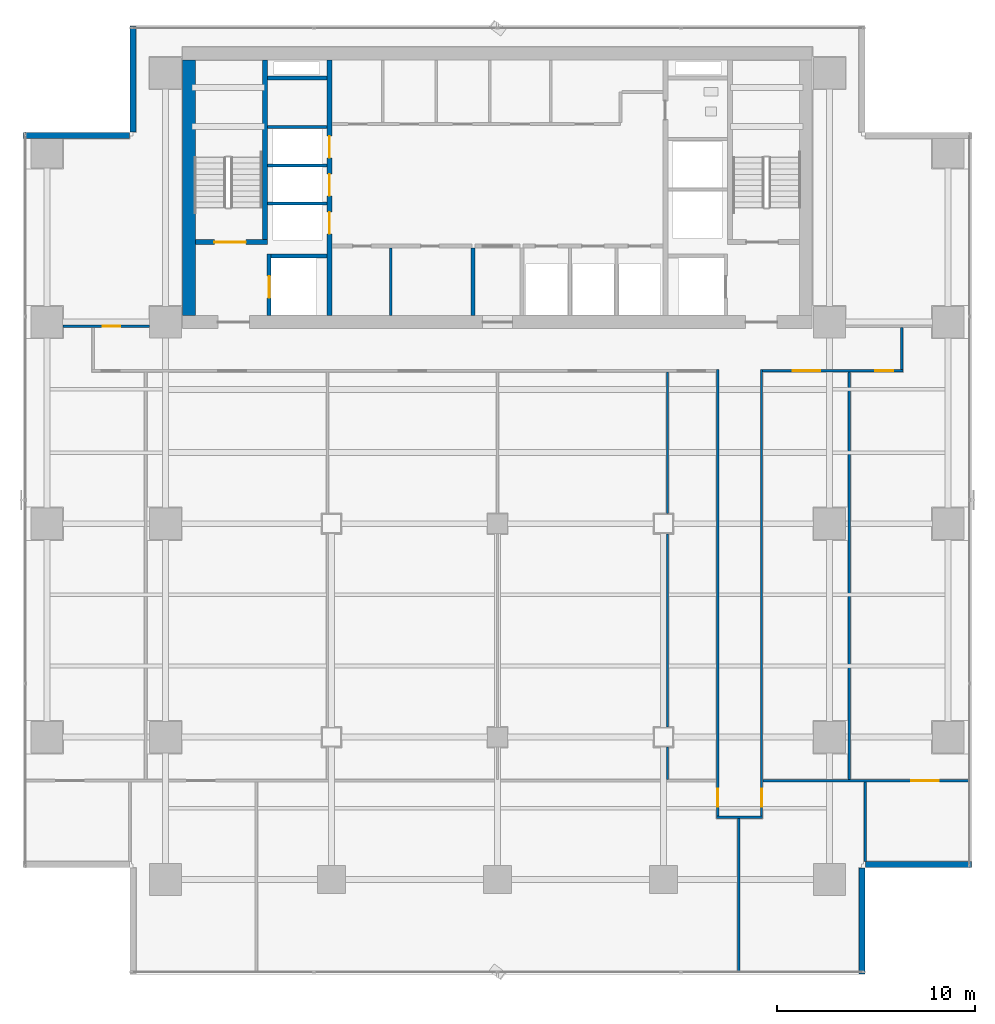
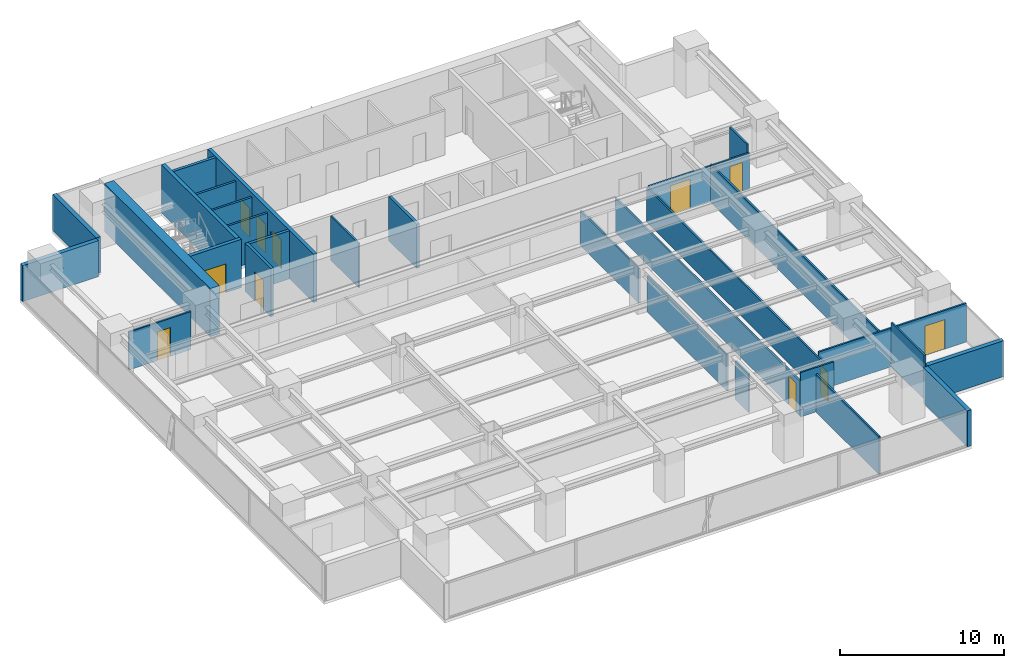
# One storey, part 21 of 28: 29 walls, 11 doors, 11 openings.
"""IFC4 building model written with IfcOpenShell, lengths in metres."""

from ifc_helpers import new_model, si_unit, direction, frame, frame_2d, origin, place, context, subcontext, project, spatial, rectangle, extrude, source, transform, mapped, material, layer, layer_set, type_object, element, fill, save


model = new_model("IFC4")

# Units and contexts
model_context = context("Model", 3, precision=1e-05, world=origin(), true_north=direction((0.0, 1.0)))
body_context = subcontext(model_context, "Body", "Model", "MODEL_VIEW")
ifc_project = project(units=[si_unit("LENGTHUNIT", "METRE"), si_unit("AREAUNIT", "SQUARE_METRE"), si_unit("VOLUMEUNIT", "CUBIC_METRE"), si_unit("PLANEANGLEUNIT", "RADIAN"), si_unit("MASSUNIT", "GRAM", prefix="KILO")], contexts=[model_context])

# Site, building, storey
site_placement = place(None, origin())
site = spatial("IfcSite", under=ifc_project, at=site_placement, CompositionType="ELEMENT")
building_placement = place(site_placement, origin())
building = spatial("IfcBuilding", under=site, at=building_placement, Name="Sumidabori Civic Tower", CompositionType="ELEMENT")
storey_placement = place(building_placement, frame((0.0, 0.0, 185.60009765625)))
storey = spatial("IfcBuildingStorey", under=building, at=storey_placement, Name="L48", CompositionType="ELEMENT", Elevation=185.60009765625)

# Walls
ifc_material_1 = material(Name="Concrete C50/60", Category="concrete")
ifc_layer_1 = layer(ifc_material_1, 0.199951171875, Name="Concrete C50/60")
ifc_layer_set_1 = layer_set([ifc_layer_1], Name="Concrete C50/60")
wall_type_1 = type_object("IfcWallType", Name="WL-SHAFT-200", PredefinedType="SHEAR", material=ifc_layer_set_1)
shared_shape_1 = source(origin(), body_context, "Body", "SweptSolid", [
    extrude(rectangle(XDim=2.824951171875, YDim=0.199951171875, at=frame_2d((1.41259765625, 0.0))), origin(), (0.0, 0.0, 1.0), 3.599853515625),
])
wall_1_placement = place(storey_placement, frame((-11.449951171875, 13.550048828125, 0.0), z_axis=(0.0, 0.0, 1.0), x_axis=(1.0, 0.0, 0.0)))
element("IfcWall", 1, at=wall_1_placement, inside=storey, type_object=wall_type_1, Name="Core Shear Wall L48 EL1-N", PredefinedType="SHEAR", context=body_context, shape_type="MappedRepresentation", body=[
    mapped(shared_shape_1, transform((0.0, 0.0, 0.0), x_axis=(1.0, 0.0, 0.0), y_axis=(0.0, 1.0, 0.0), z_axis=(0.0, 0.0, 1.0), scale=1.0)),
])
shared_shape_2 = source(origin(), body_context, "Body", "SweptSolid", [
    extrude(rectangle(XDim=3.02001953125, YDim=0.199951171875, at=frame_2d((1.510009765625, 0.0))), origin(), (0.0, 0.0, 1.0), 3.599853515625),
])
wall_2_placement = place(storey_placement, frame((-11.64501953125, 22.550048828125, 0.0), z_axis=(0.0, 0.0, 1.0), x_axis=(1.0, 0.0, 0.0)))
element("IfcWall", 2, at=wall_2_placement, inside=storey, type_object=wall_type_1, Name="Core Shear Wall L48 RIS1-S", PredefinedType="SHEAR", context=body_context, shape_type="MappedRepresentation", body=[
    mapped(shared_shape_2, transform((0.0, 0.0, 0.0), x_axis=(1.0, 0.0, 0.0), y_axis=(0.0, 1.0, 0.0), z_axis=(0.0, 0.0, 1.0), scale=1.0)),
])
ifc_material_2 = material(Name="Concrete C60/75", Category="concrete")
ifc_layer_2 = layer(ifc_material_2, 0.64990234375, Name="Concrete C60/75")
ifc_layer_set_2 = layer_set([ifc_layer_2], Name="Concrete C60/75")
wall_type_2 = type_object("IfcWallType", Name="WL-CORE-650", PredefinedType="SHEAR", material=ifc_layer_set_2)
shared_shape_3 = source(origin(), body_context, "Body", "SweptSolid", [
    extrude(rectangle(XDim=12.9501953125, YDim=0.64990234375, at=frame_2d((6.47509765625, 0.0))), origin(), (0.0, 0.0, 1.0), 3.599853515625),
])
wall_3_placement = place(storey_placement, frame((-15.60009765625, 10.52490234375, 0.0), z_axis=(0.0, 0.0, 1.0), x_axis=(0.0, 1.0, 0.0)))
element("IfcWall", 3, at=wall_3_placement, inside=storey, type_object=wall_type_2, Name="Core Shear Wall L48 W", PredefinedType="SHEAR", context=body_context, shape_type="MappedRepresentation", body=[
    mapped(shared_shape_3, transform((0.0, 0.0, 0.0), x_axis=(1.0, 0.0, 0.0), y_axis=(0.0, 1.0, 0.0), z_axis=(0.0, 0.0, 1.0), scale=1.0)),
])

# Wall, openings, doors
ifc_layer_3 = layer(ifc_material_1, 0.25, Name="Concrete C50/60")
ifc_layer_set_3 = layer_set([ifc_layer_3], Name="Concrete C50/60")
wall_type_3 = type_object("IfcWallType", Name="WL-SHAFT-250", PredefinedType="SHEAR", material=ifc_layer_set_3)
shared_shape_4 = source(origin(), body_context, "Body", "SweptSolid", [
    extrude(rectangle(XDim=12.9501953125, YDim=0.25, at=frame_2d((6.47509765625, 0.0))), origin(), (0.0, 0.0, 1.0), 3.599853515625),
])
wall_4_placement = place(storey_placement, frame((-8.5, 10.52490234375, 0.0), z_axis=(0.0, 0.0, 1.0), x_axis=(0.0, 1.0, 0.0)))
wall_4 = element("IfcWall", 4, at=wall_4_placement, inside=storey, type_object=wall_type_3, Name="Core Shear Wall L48 WEB-W", PredefinedType="SHEAR", context=body_context, shape_type="MappedRepresentation", body=[
    mapped(shared_shape_4, transform((0.0, 0.0, 0.0), x_axis=(1.0, 0.0, 0.0), y_axis=(0.0, 1.0, 0.0), z_axis=(0.0, 0.0, 1.0), scale=1.0)),
])
opening_1_placement = place(wall_4_placement, frame((4.14501953125, 0.0, 0.0)))
opening_1 = element("IfcOpeningElement", 5, at=opening_1_placement, cuts=wall_4, Name="Opening LD-1", PredefinedType="OPENING", context=body_context, shape_type="SweptSolid", body=[
    extrude(rectangle(XDim=1.10009765625, YDim=2.14990234375, at=frame_2d((0.550048828125, 1.074951171875))), frame((0.0, 0.136962890625, 0.0), z_axis=(0.0, -1.0, 0.0), x_axis=(1.0, 0.0, 0.0)), (0.0, 0.0, 1.0), 0.27392578125),
])
opening_2_placement = place(wall_4_placement, frame((6.06494140625, 0.0, 0.0)))
opening_2 = element("IfcOpeningElement", 6, at=opening_2_placement, cuts=wall_4, Name="Opening LD-1", PredefinedType="OPENING", context=body_context, shape_type="SweptSolid", body=[
    extrude(rectangle(XDim=1.10009765625, YDim=2.14990234375, at=frame_2d((0.550048828125, 1.074951171875))), frame((0.0, 0.136962890625, 0.0), z_axis=(0.0, -1.0, 0.0), x_axis=(1.0, 0.0, 0.0)), (0.0, 0.0, 1.0), 0.27392578125),
])
opening_3_placement = place(wall_4_placement, frame((7.985107421875, 0.0, 0.0)))
opening_3 = element("IfcOpeningElement", 7, at=opening_3_placement, cuts=wall_4, Name="Opening LD-1", PredefinedType="OPENING", context=body_context, shape_type="SweptSolid", body=[
    extrude(rectangle(XDim=1.10009765625, YDim=2.14990234375, at=frame_2d((0.550048828125, 1.074951171875))), frame((0.0, 0.136962890625, 0.0), z_axis=(0.0, -1.0, 0.0), x_axis=(1.0, 0.0, 0.0)), (0.0, 0.0, 1.0), 0.27392578125),
])
ifc_material_3 = material(Name="Stainless Steel Hairline Finish", Category="steel")
door_type_1 = type_object("IfcDoorType", Name="DR-LD1", OperationType="DOUBLE_DOOR_SLIDING", PredefinedType="DOOR", material=ifc_material_3)
shared_shape_5 = source(origin(), body_context, "Body", "SweptSolid", [
    extrude(rectangle(XDim=1.10009765625, YDim=2.14990234375, at=frame_2d((0.550048828125, 1.074951171875))), frame((0.0, 0.02490234375, 0.0), z_axis=(0.0, -1.0, 0.0), x_axis=(1.0, 0.0, 0.0)), (0.0, 0.0, 1.0), 0.050048828125),
])
door_1_placement = place(opening_1_placement, origin())
door_1 = element("IfcDoor", 8, at=door_1_placement, inside=storey, type_object=door_type_1, Name="Door DR:L48:LD-PLH1", OperationType="DOUBLE_DOOR_SLIDING", OverallHeight=2.14990234375, OverallWidth=1.10009765625, PredefinedType="DOOR", context=body_context, shape_type="MappedRepresentation", body=[
    mapped(shared_shape_5, transform((0.0, 0.0, 0.0), x_axis=(1.0, 0.0, 0.0), y_axis=(0.0, 1.0, 0.0), z_axis=(0.0, 0.0, 1.0), scale=1.0)),
])
fill(opening_1, door_1)
door_2_placement = place(opening_2_placement, origin())
door_2 = element("IfcDoor", 9, at=door_2_placement, inside=storey, type_object=door_type_1, Name="Door DR:L48:LD-PLH2", OperationType="DOUBLE_DOOR_SLIDING", OverallHeight=2.14990234375, OverallWidth=1.10009765625, PredefinedType="DOOR", context=body_context, shape_type="MappedRepresentation", body=[
    mapped(shared_shape_5, transform((0.0, 0.0, 0.0), x_axis=(1.0, 0.0, 0.0), y_axis=(0.0, 1.0, 0.0), z_axis=(0.0, 0.0, 1.0), scale=1.0)),
])
fill(opening_2, door_2)
door_3_placement = place(opening_3_placement, origin())
door_3 = element("IfcDoor", 10, at=door_3_placement, inside=storey, type_object=door_type_1, Name="Door DR:L48:LD-PLH3", OperationType="DOUBLE_DOOR_SLIDING", OverallHeight=2.14990234375, OverallWidth=1.10009765625, PredefinedType="DOOR", context=body_context, shape_type="MappedRepresentation", body=[
    mapped(shared_shape_5, transform((0.0, 0.0, 0.0), x_axis=(1.0, 0.0, 0.0), y_axis=(0.0, 1.0, 0.0), z_axis=(0.0, 0.0, 1.0), scale=1.0)),
])
fill(opening_3, door_3)

# Wall, opening, door
shared_shape_6 = source(origin(), body_context, "Body", "SweptSolid", [
    extrude(rectangle(XDim=3.6298828125, YDim=0.25, at=frame_2d((1.81494140625, 0.0))), origin(), (0.0, 0.0, 1.0), 3.599853515625),
])
wall_5_placement = place(storey_placement, frame((-15.27490234375, 14.25, 0.0), z_axis=(0.0, 0.0, 1.0), x_axis=(1.0, 0.0, 0.0)))
wall_5 = element("IfcWall", 11, at=wall_5_placement, inside=storey, type_object=wall_type_3, Name="Core Shear Wall L48 ST1-S", PredefinedType="SHEAR", context=body_context, shape_type="MappedRepresentation", body=[
    mapped(shared_shape_6, transform((0.0, 0.0, 0.0), x_axis=(1.0, 0.0, 0.0), y_axis=(0.0, 1.0, 0.0), z_axis=(0.0, 0.0, 1.0), scale=1.0)),
])
opening_4_placement = place(wall_5_placement, frame((0.949951171875, 0.0, 0.0)))
opening_4 = element("IfcOpeningElement", 12, at=opening_4_placement, cuts=wall_5, Name="Opening DR-FD4", PredefinedType="OPENING", context=body_context, shape_type="SweptSolid", body=[
    extrude(rectangle(XDim=1.60009765625, YDim=2.14990234375, at=frame_2d((0.800048828125, 1.074951171875))), frame((0.0, 0.136962890625, 0.0), z_axis=(0.0, -1.0, 0.0), x_axis=(1.0, 0.0, 0.0)), (0.0, 0.0, 1.0), 0.27392578125),
])
ifc_material_4 = material(Name="Steel SN490", Category="steel")
door_type_2 = type_object("IfcDoorType", Name="DR-FD4", OperationType="DOUBLE_DOOR_SINGLE_SWING", PredefinedType="DOOR", material=ifc_material_4)
shared_shape_7 = source(origin(), body_context, "Body", "SweptSolid", [
    extrude(rectangle(XDim=1.60009765625, YDim=2.14990234375, at=frame_2d((0.800048828125, 1.074951171875))), frame((0.0, 0.02490234375, 0.0), z_axis=(0.0, -1.0, 0.0), x_axis=(1.0, 0.0, 0.0)), (0.0, 0.0, 1.0), 0.050048828125),
])
door_4_placement = place(opening_4_placement, origin())
door_4 = element("IfcDoor", 13, at=door_4_placement, inside=storey, type_object=door_type_2, Name="Door DR:L48:ST1", OperationType="DOUBLE_DOOR_SINGLE_SWING", OverallHeight=2.14990234375, OverallWidth=1.60009765625, PredefinedType="DOOR", context=body_context, shape_type="MappedRepresentation", body=[
    mapped(shared_shape_7, transform((0.0, 0.0, 0.0), x_axis=(1.0, 0.0, 0.0), y_axis=(0.0, 1.0, 0.0), z_axis=(0.0, 0.0, 1.0), scale=1.0)),
])
fill(opening_4, door_4)

# Wall
shared_shape_8 = source(origin(), body_context, "Body", "SweptSolid", [
    extrude(rectangle(XDim=9.10009765625, YDim=0.25, at=frame_2d((4.550048828125, 0.0))), origin(), (0.0, 0.0, 1.0), 3.599853515625),
])
wall_6_placement = place(storey_placement, frame((-11.77001953125, 14.375, 0.0), z_axis=(0.0, 0.0, 1.0), x_axis=(0.0, 1.0, 0.0)))
element("IfcWall", 14, at=wall_6_placement, inside=storey, type_object=wall_type_3, Name="Core Shear Wall L48 ST1-E", PredefinedType="SHEAR", context=body_context, shape_type="MappedRepresentation", body=[
    mapped(shared_shape_8, transform((0.0, 0.0, 0.0), x_axis=(1.0, 0.0, 0.0), y_axis=(0.0, 1.0, 0.0), z_axis=(0.0, 0.0, 1.0), scale=1.0)),
])

# Wall, opening, door
shared_shape_9 = source(origin(), body_context, "Body", "SweptSolid", [
    extrude(rectangle(XDim=3.125, YDim=0.199951171875, at=frame_2d((1.5625, 0.0))), origin(), (0.0, 0.0, 1.0), 3.599853515625),
])
wall_7_placement = place(storey_placement, frame((-11.550048828125, 10.52490234375, 0.0), z_axis=(0.0, 0.0, 1.0), x_axis=(0.0, 1.0, 0.0)))
wall_7 = element("IfcWall", 15, at=wall_7_placement, inside=storey, type_object=wall_type_1, Name="Core Shear Wall L48 EL1-W", PredefinedType="SHEAR", context=body_context, shape_type="MappedRepresentation", body=[
    mapped(shared_shape_9, transform((0.0, 0.0, 0.0), x_axis=(1.0, 0.0, 0.0), y_axis=(0.0, 1.0, 0.0), z_axis=(0.0, 0.0, 1.0), scale=1.0)),
])
opening_5_placement = place(wall_7_placement, frame((0.89990234375, 0.0, 0.0)))
opening_5 = element("IfcOpeningElement", 16, at=opening_5_placement, cuts=wall_7, Name="Opening LD-2", PredefinedType="OPENING", context=body_context, shape_type="SweptSolid", body=[
    extrude(rectangle(XDim=1.10009765625, YDim=2.14990234375, at=frame_2d((0.550048828125, 1.074951171875))), frame((0.0, 0.11181640625, 0.0), z_axis=(0.0, -1.0, 0.0), x_axis=(1.0, 0.0, 0.0)), (0.0, 0.0, 1.0), 0.223876953125),
])
door_type_3 = type_object("IfcDoorType", Name="DR-LD2", OperationType="DOUBLE_DOOR_SLIDING", PredefinedType="DOOR", material=ifc_material_3)
door_5_placement = place(opening_5_placement, origin())
door_5 = element("IfcDoor", 17, at=door_5_placement, inside=storey, type_object=door_type_3, Name="Door DR:L48:LD-EL1", OperationType="DOUBLE_DOOR_SLIDING", OverallHeight=2.14990234375, OverallWidth=1.10009765625, PredefinedType="DOOR", context=body_context, shape_type="MappedRepresentation", body=[
    mapped(shared_shape_5, transform((0.0, 0.0, 0.0), x_axis=(1.0, 0.0, 0.0), y_axis=(0.0, 1.0, 0.0), z_axis=(0.0, 0.0, 1.0), scale=1.0)),
])
fill(opening_5, door_5)

# Walls
ifc_material_5 = material(Name="Precast concrete C40/50", Category="concrete")
ifc_layer_4 = layer(ifc_material_5, 0.300048828125, Name="Precast concrete C40/50")
ifc_layer_set_4 = layer_set([ifc_layer_4], Name="Precast concrete C40/50")
wall_type_4 = type_object("IfcWallType", Name="WL-EXT-POD300", PredefinedType="STANDARD", material=ifc_layer_set_4)
shared_shape_10 = source(origin(), body_context, "Body", "SweptSolid", [
    extrude(rectangle(XDim=5.360107421875, YDim=0.300048828125, at=frame_2d((2.68017578125, 0.0))), origin(), (0.0, 0.0, 1.0), 2.679931640625),
])
wall_8_placement = place(storey_placement, frame((18.449951171875, -22.780029296875, 0.0), z_axis=(0.0, 0.0, 1.0), x_axis=(0.0, 1.0, 0.0)))
element("IfcWall", 18, at=wall_8_placement, inside=storey, type_object=wall_type_4, Name="Notched Corner Spandrel Band L48-02", PredefinedType="STANDARD", context=body_context, shape_type="MappedRepresentation", body=[
    mapped(shared_shape_10, transform((0.0, 0.0, 0.0), x_axis=(1.0, 0.0, 0.0), y_axis=(0.0, 1.0, 0.0), z_axis=(0.0, 0.0, 1.0), scale=1.0)),
])
shared_shape_11 = source(origin(), body_context, "Body", "SweptSolid", [
    extrude(rectangle(XDim=5.35986328125, YDim=0.300048828125, at=frame_2d((2.679931640625, 0.0))), origin(), (0.0, 0.0, 1.0), 2.679931640625),
])
for number, where, z_axis, x_axis, name in (
    (19, (18.6201171875, -17.25, 0.0), (0.0, 0.0, 1.0), (1.0, 0.0, 0.0), "Notched Corner Spandrel Band L48-03"),
    (20, (-18.449951171875, 25.179931640625, 0.0), (0.0, 0.0, 1.0), (0.0, -1.0, 0.0), "Notched Corner Spandrel Band L48-08"),
    (21, (-18.6201171875, 19.64990234375, 0.0), (0.0, 0.0, 1.0), (-1.0, 0.0, 0.0), "Notched Corner Spandrel Band L48-09"),
):
    element("IfcWall", number, at=place(storey_placement, frame(where, z_axis=z_axis, x_axis=x_axis)), inside=storey, type_object=wall_type_4, Name=name, PredefinedType="STANDARD", context=body_context, shape_type="MappedRepresentation", body=[
        mapped(shared_shape_11, transform((0.0, 0.0, 0.0), x_axis=(1.0, 0.0, 0.0), y_axis=(0.0, 1.0, 0.0), z_axis=(0.0, 0.0, 1.0), scale=1.0)),
    ])
ifc_material_6 = material(Name="Gypsum Plasterboard Acoustic Partition")
ifc_layer_5 = layer(ifc_material_6, 0.14990234375, Name="Gypsum Plasterboard Acoustic Partition")
ifc_layer_set_5 = layer_set([ifc_layer_5], Name="Gypsum Plasterboard Acoustic Partition")
wall_type_5 = type_object("IfcWallType", Name="WL-PART-150", PredefinedType="PARTITIONING", material=ifc_layer_set_5)
shared_shape_12 = source(origin(), body_context, "Body", "SweptSolid", [
    extrude(rectangle(XDim=3.010009765625, YDim=0.14990234375, at=frame_2d((1.5048828125, 0.0))), origin(), (0.0, 0.0, 1.0), 3.2998046875),
])
for number, where, z_axis, x_axis, name in (
    (22, (-11.639892578125, 16.199951171875, 0.0), (0.0, 0.0, 1.0), (1.0, 0.0, 0.0), "Interior Partition WL:L48:DIV-PLH1"),
    (23, (-11.639892578125, 18.1201171875, 0.0), (0.0, 0.0, 1.0), (1.0, 0.0, 0.0), "Interior Partition WL:L48:DIV-PLH2"),
    (24, (-11.639892578125, 20.080078125, 0.0), (0.0, 0.0, 1.0), (1.0, 0.0, 0.0), "Interior Partition WL:L48:DIV-PLH3"),
):
    element("IfcWall", number, at=place(storey_placement, frame(where, z_axis=z_axis, x_axis=x_axis)), inside=storey, type_object=wall_type_5, Name=name, PredefinedType="PARTITIONING", context=body_context, shape_type="MappedRepresentation", body=[
        mapped(shared_shape_12, transform((0.0, 0.0, 0.0), x_axis=(1.0, 0.0, 0.0), y_axis=(0.0, 1.0, 0.0), z_axis=(0.0, 0.0, 1.0), scale=1.0)),
    ])
ifc_material_7 = material(Name="Gypsum Plasterboard Fire Partition")
ifc_layer_6 = layer(ifc_material_7, 0.199951171875, Name="Gypsum Plasterboard Fire Partition")
ifc_layer_set_6 = layer_set([ifc_layer_6], Name="Gypsum Plasterboard Fire Partition")
wall_type_6 = type_object("IfcWallType", Name="WL-PART-FIRE", PredefinedType="PARTITIONING", material=ifc_layer_set_6)
shared_shape_13 = source(origin(), body_context, "Body", "SweptSolid", [
    extrude(rectangle(XDim=3.4150390625, YDim=0.199951171875, at=frame_2d((1.70751953125, 0.0))), origin(), (0.0, 0.0, 1.0), 3.2998046875),
])
wall_9_placement = place(storey_placement, frame((-1.25, 10.52490234375, 0.0), z_axis=(0.0, 0.0, 1.0), x_axis=(0.0, 1.0, 0.0)))
element("IfcWall", 25, at=wall_9_placement, inside=storey, type_object=wall_type_6, Name="Interior Partition WL:L48:THROAT-W", PredefinedType="PARTITIONING", context=body_context, shape_type="MappedRepresentation", body=[
    mapped(shared_shape_13, transform((0.0, 0.0, 0.0), x_axis=(1.0, 0.0, 0.0), y_axis=(0.0, 1.0, 0.0), z_axis=(0.0, 0.0, 1.0), scale=1.0)),
])
ifc_layer_7 = layer(ifc_material_6, 0.1201171875, Name="Gypsum Plasterboard Acoustic Partition")
ifc_layer_set_7 = layer_set([ifc_layer_7], Name="Gypsum Plasterboard Acoustic Partition")
wall_type_7 = type_object("IfcWallType", Name="WL-PART-120", PredefinedType="PARTITIONING", material=ifc_layer_set_7)
shared_shape_14 = source(origin(), body_context, "Body", "SweptSolid", [
    extrude(rectangle(XDim=3.4150390625, YDim=0.1201171875, at=frame_2d((1.70751953125, 0.0))), origin(), (0.0, 0.0, 1.0), 3.2998046875),
])
wall_10_placement = place(storey_placement, frame((-5.39990234375, 10.52490234375, 0.0), z_axis=(0.0, 0.0, 1.0), x_axis=(0.0, 1.0, 0.0)))
element("IfcWall", 26, at=wall_10_placement, inside=storey, type_object=wall_type_7, Name="Interior Partition WL:L48:REC-B1-SP", PredefinedType="PARTITIONING", context=body_context, shape_type="MappedRepresentation", body=[
    mapped(shared_shape_14, transform((0.0, 0.0, 0.0), x_axis=(1.0, 0.0, 0.0), y_axis=(0.0, 1.0, 0.0), z_axis=(0.0, 0.0, 1.0), scale=1.0)),
])

# Wall, opening, door
shared_shape_15 = source(origin(), body_context, "Body", "SweptSolid", [
    extrude(rectangle(XDim=4.3798828125, YDim=0.1201171875, at=frame_2d((2.18994140625, 0.0))), origin(), (0.0, 0.0, 1.0), 2.8349609375),
])
wall_11_placement = place(storey_placement, frame((-21.989990234375, 10.0, 0.0), z_axis=(0.0, 0.0, 1.0), x_axis=(1.0, 0.0, 0.0)))
wall_11 = element("IfcWall", 27, at=wall_11_placement, inside=storey, type_object=wall_type_7, Name="Interior Partition WL:L48:FLK-NW", PredefinedType="PARTITIONING", context=body_context, shape_type="MappedRepresentation", body=[
    mapped(shared_shape_15, transform((0.0, 0.0, 0.0), x_axis=(1.0, 0.0, 0.0), y_axis=(0.0, 1.0, 0.0), z_axis=(0.0, 0.0, 1.0), scale=1.0)),
])
opening_6_placement = place(wall_11_placement, frame((2.014892578125, 0.0, 0.0)))
opening_6 = element("IfcOpeningElement", 28, at=opening_6_placement, cuts=wall_11, Name="Opening DR-1", PredefinedType="OPENING", context=body_context, shape_type="SweptSolid", body=[
    extrude(rectangle(XDim=0.89990234375, YDim=2.14990234375, at=frame_2d((0.449951171875, 1.074951171875))), frame((0.0, 0.072021484375, 0.0), z_axis=(0.0, -1.0, 0.0), x_axis=(1.0, 0.0, 0.0)), (0.0, 0.0, 1.0), 0.14404296875),
])
ifc_material_8 = material(Name="Japanese Hinoki Timber", Category="wood")
door_type_4 = type_object("IfcDoorType", Name="DR-INT-900", OperationType="NOTDEFINED", PredefinedType="DOOR", material=ifc_material_8)
shared_shape_16 = source(origin(), body_context, "Body", "SweptSolid", [
    extrude(rectangle(XDim=0.89990234375, YDim=2.14990234375, at=frame_2d((0.449951171875, 1.074951171875))), frame((0.0, 0.02490234375, 0.0), z_axis=(0.0, -1.0, 0.0), x_axis=(1.0, 0.0, 0.0)), (0.0, 0.0, 1.0), 0.050048828125),
])
door_6_placement = place(opening_6_placement, origin())
door_6 = element("IfcDoor", 29, at=door_6_placement, inside=storey, type_object=door_type_4, Name="Door DR:L48:FLK-NW", OperationType="SINGLE_SWING_LEFT", OverallHeight=2.14990234375, OverallWidth=0.89990234375, PredefinedType="DOOR", context=body_context, shape_type="MappedRepresentation", body=[
    mapped(shared_shape_16, transform((0.0, 0.0, 0.0), x_axis=(1.0, 0.0, 0.0), y_axis=(0.0, 1.0, 0.0), z_axis=(0.0, 0.0, 1.0), scale=1.0)),
])
fill(opening_6, door_6)

# Wall, openings, doors
shared_shape_17 = source(origin(), body_context, "Body", "SweptSolid", [
    extrude(rectangle(XDim=7.10009765625, YDim=0.1201171875, at=frame_2d((3.550048828125, 0.0))), origin(), (0.0, 0.0, 1.0), 2.684814453125),
])
wall_12_placement = place(storey_placement, frame((13.419921875, 7.739990234375, 0.0), z_axis=(0.0, 0.0, 1.0), x_axis=(1.0, 0.0, 0.0)))
wall_12 = element("IfcWall", 30, at=wall_12_placement, inside=storey, type_object=wall_type_7, Name="Interior Partition WL:L48:CORR-SE", PredefinedType="PARTITIONING", context=body_context, shape_type="MappedRepresentation", body=[
    mapped(shared_shape_17, transform((0.0, 0.0, 0.0), x_axis=(1.0, 0.0, 0.0), y_axis=(0.0, 1.0, 0.0), z_axis=(0.0, 0.0, 1.0), scale=1.0)),
])
opening_7_placement = place(wall_12_placement, frame((5.699951171875, 0.0, 0.0)))
opening_7 = element("IfcOpeningElement", 31, at=opening_7_placement, cuts=wall_12, Name="Opening DR-1", PredefinedType="OPENING", context=body_context, shape_type="SweptSolid", body=[
    extrude(rectangle(XDim=0.89990234375, YDim=2.14990234375, at=frame_2d((0.449951171875, 1.074951171875))), frame((0.0, 0.072021484375, 0.0), z_axis=(0.0, -1.0, 0.0), x_axis=(1.0, 0.0, 0.0)), (0.0, 0.0, 1.0), 0.14404296875),
])
opening_8_placement = place(wall_12_placement, frame((1.52001953125, 0.0, 0.0)))
opening_8 = element("IfcOpeningElement", 32, at=opening_8_placement, cuts=wall_12, Name="Opening DR-5", PredefinedType="OPENING", context=body_context, shape_type="SweptSolid", body=[
    extrude(rectangle(XDim=1.39990234375, YDim=2.199951171875, at=frame_2d((0.699951171875, 1.10009765625))), frame((0.0, 0.072021484375, 0.0), z_axis=(0.0, -1.0, 0.0), x_axis=(1.0, 0.0, 0.0)), (0.0, 0.0, 1.0), 0.14404296875),
])
door_7_placement = place(opening_7_placement, origin())
door_7 = element("IfcDoor", 33, at=door_7_placement, inside=storey, type_object=door_type_4, Name="Door DR:L48:D03", OperationType="SINGLE_SWING_LEFT", OverallHeight=2.14990234375, OverallWidth=0.89990234375, PredefinedType="DOOR", context=body_context, shape_type="MappedRepresentation", body=[
    mapped(shared_shape_16, transform((0.0, 0.0, 0.0), x_axis=(1.0, 0.0, 0.0), y_axis=(0.0, 1.0, 0.0), z_axis=(0.0, 0.0, 1.0), scale=1.0)),
])
fill(opening_7, door_7)
ifc_material_9 = material(Name="Anodised Bronze Aluminium AW-6063-T6", Category="aluminium")
door_type_5 = type_object("IfcDoorType", Name="DR-DBL-1400", OperationType="DOUBLE_DOOR_SINGLE_SWING", PredefinedType="DOOR", material=ifc_material_9)
shared_shape_18 = source(origin(), body_context, "Body", "SweptSolid", [
    extrude(rectangle(XDim=1.39990234375, YDim=2.199951171875, at=frame_2d((0.699951171875, 1.10009765625))), frame((0.0, 0.02490234375, 0.0), z_axis=(0.0, -1.0, 0.0), x_axis=(1.0, 0.0, 0.0)), (0.0, 0.0, 1.0), 0.050048828125),
])
door_8_placement = place(opening_8_placement, origin())
door_8 = element("IfcDoor", 34, at=door_8_placement, inside=storey, type_object=door_type_5, Name="Door DR:L48:D04", OperationType="DOUBLE_DOOR_SINGLE_SWING", OverallHeight=2.199951171875, OverallWidth=1.39990234375, PredefinedType="DOOR", context=body_context, shape_type="MappedRepresentation", body=[
    mapped(shared_shape_18, transform((0.0, 0.0, 0.0), x_axis=(1.0, 0.0, 0.0), y_axis=(0.0, 1.0, 0.0), z_axis=(0.0, 0.0, 1.0), scale=1.0)),
])
fill(opening_8, door_8)

# Walls
shared_shape_19 = source(origin(), body_context, "Body", "SweptSolid", [
    extrude(rectangle(XDim=2.33984375, YDim=0.1201171875, at=frame_2d((1.169921875, 0.0))), origin(), (0.0, 0.0, 1.0), 3.2998046875),
])
wall_13_placement = place(storey_placement, frame((11.080078125, -14.860107421875, 0.0), z_axis=(0.0, 0.0, 1.0), x_axis=(1.0, 0.0, 0.0)))
element("IfcWall", 35, at=wall_13_placement, inside=storey, type_object=wall_type_7, Name="Interior Partition WL:L48:CORR-CAP-E", PredefinedType="PARTITIONING", context=body_context, shape_type="MappedRepresentation", body=[
    mapped(shared_shape_19, transform((0.0, 0.0, 0.0), x_axis=(1.0, 0.0, 0.0), y_axis=(0.0, 1.0, 0.0), z_axis=(0.0, 0.0, 1.0), scale=1.0)),
])
shared_shape_20 = source(origin(), body_context, "Body", "SweptSolid", [
    extrude(rectangle(XDim=2.130126953125, YDim=0.1201171875, at=frame_2d((1.06494140625, 0.0))), origin(), (0.0, 0.0, 1.0), 3.2998046875),
])
wall_14_placement = place(storey_placement, frame((20.4599609375, 7.804931640625, 0.0), z_axis=(0.0, 0.0, 1.0), x_axis=(0.0, 1.0, 0.0)))
element("IfcWall", 36, at=wall_14_placement, inside=storey, type_object=wall_type_7, Name="Interior Partition WL:L48:CORR-VNE", PredefinedType="PARTITIONING", context=body_context, shape_type="MappedRepresentation", body=[
    mapped(shared_shape_20, transform((0.0, 0.0, 0.0), x_axis=(1.0, 0.0, 0.0), y_axis=(0.0, 1.0, 0.0), z_axis=(0.0, 0.0, 1.0), scale=1.0)),
])

# Wall, opening, door
shared_shape_21 = source(origin(), body_context, "Body", "SweptSolid", [
    extrude(rectangle(XDim=22.594970703125, YDim=0.1201171875, at=frame_2d((11.29736328125, 0.0))), origin(), (0.0, 0.0, 1.0), 2.5849609375),
])
wall_15_placement = place(storey_placement, frame((11.139892578125, -14.794921875, 0.0), z_axis=(0.0, 0.0, 1.0), x_axis=(0.0, 1.0, 0.0)))
wall_15 = element("IfcWall", 37, at=wall_15_placement, inside=storey, type_object=wall_type_7, Name="Interior Partition WL:L48:CORR-VL-W", PredefinedType="PARTITIONING", context=body_context, shape_type="MappedRepresentation", body=[
    mapped(shared_shape_21, transform((0.0, 0.0, 0.0), x_axis=(1.0, 0.0, 0.0), y_axis=(0.0, 1.0, 0.0), z_axis=(0.0, 0.0, 1.0), scale=1.0)),
])
opening_9_placement = place(wall_15_placement, frame((0.4775390625, 0.0, 0.0)))
opening_9 = element("IfcOpeningElement", 38, at=opening_9_placement, cuts=wall_15, Name="Opening DR-1", PredefinedType="OPENING", context=body_context, shape_type="SweptSolid", body=[
    extrude(rectangle(XDim=0.89990234375, YDim=2.14990234375, at=frame_2d((0.449951171875, 1.074951171875))), frame((0.0, 0.072021484375, 0.0), z_axis=(0.0, -1.0, 0.0), x_axis=(1.0, 0.0, 0.0)), (0.0, 0.0, 1.0), 0.14404296875),
])
door_9_placement = place(opening_9_placement, origin())
door_9 = element("IfcDoor", 39, at=door_9_placement, inside=storey, type_object=door_type_4, Name="Door DR:L48:D09", OperationType="SINGLE_SWING_LEFT", OverallHeight=2.14990234375, OverallWidth=0.89990234375, PredefinedType="DOOR", context=body_context, shape_type="MappedRepresentation", body=[
    mapped(shared_shape_16, transform((0.0, 0.0, 0.0), x_axis=(1.0, 0.0, 0.0), y_axis=(0.0, 1.0, 0.0), z_axis=(0.0, 0.0, 1.0), scale=1.0)),
])
fill(opening_9, door_9)

wall_16_placement = place(storey_placement, frame((13.360107421875, -14.794921875, 0.0), z_axis=(0.0, 0.0, 1.0), x_axis=(0.0, 1.0, 0.0)))
wall_16 = element("IfcWall", 40, at=wall_16_placement, inside=storey, type_object=wall_type_7, Name="Interior Partition WL:L48:CORR-VL-E", PredefinedType="PARTITIONING", context=body_context, shape_type="MappedRepresentation", body=[
    mapped(shared_shape_21, transform((0.0, 0.0, 0.0), x_axis=(1.0, 0.0, 0.0), y_axis=(0.0, 1.0, 0.0), z_axis=(0.0, 0.0, 1.0), scale=1.0)),
])
opening_10_placement = place(wall_16_placement, frame((0.4775390625, 0.0, 0.0)))
opening_10 = element("IfcOpeningElement", 41, at=opening_10_placement, cuts=wall_16, Name="Opening DR-1", PredefinedType="OPENING", context=body_context, shape_type="SweptSolid", body=[
    extrude(rectangle(XDim=0.89990234375, YDim=2.14990234375, at=frame_2d((0.449951171875, 1.074951171875))), frame((0.0, 0.072021484375, 0.0), z_axis=(0.0, -1.0, 0.0), x_axis=(1.0, 0.0, 0.0)), (0.0, 0.0, 1.0), 0.14404296875),
])
door_10_placement = place(opening_10_placement, origin())
door_10 = element("IfcDoor", 42, at=door_10_placement, inside=storey, type_object=door_type_4, Name="Door DR:L48:D10", OperationType="SINGLE_SWING_RIGHT", OverallHeight=2.14990234375, OverallWidth=0.89990234375, PredefinedType="DOOR", context=body_context, shape_type="MappedRepresentation", body=[
    mapped(shared_shape_16, transform((0.0, 0.0, 0.0), x_axis=(1.0, 0.0, 0.0), y_axis=(0.0, 1.0, 0.0), z_axis=(0.0, 0.0, 1.0), scale=1.0)),
])
fill(opening_10, door_10)

shared_shape_22 = source(origin(), body_context, "Body", "SweptSolid", [
    extrude(rectangle(XDim=10.425048828125, YDim=0.1201171875, at=frame_2d((5.21240234375, 0.0))), origin(), (0.0, 0.0, 1.0), 2.885009765625),
])
wall_17_placement = place(storey_placement, frame((13.425048828125, -13.0, 0.0), z_axis=(0.0, 0.0, 1.0), x_axis=(1.0, 0.0, 0.0)))
wall_17 = element("IfcWall", 43, at=wall_17_placement, inside=storey, type_object=wall_type_7, Name="Interior Partition WL:L48:BAND-Y-2", PredefinedType="PARTITIONING", context=body_context, shape_type="MappedRepresentation", body=[
    mapped(shared_shape_22, transform((0.0, 0.0, 0.0), x_axis=(1.0, 0.0, 0.0), y_axis=(0.0, 1.0, 0.0), z_axis=(0.0, 0.0, 1.0), scale=1.0)),
])
opening_11_placement = place(wall_17_placement, frame((7.510009765625, 0.0, 0.0)))
opening_11 = element("IfcOpeningElement", 44, at=opening_11_placement, cuts=wall_17, Name="Opening DR-5", PredefinedType="OPENING", context=body_context, shape_type="SweptSolid", body=[
    extrude(rectangle(XDim=1.39990234375, YDim=2.199951171875, at=frame_2d((0.699951171875, 1.10009765625))), frame((0.0, 0.072021484375, 0.0), z_axis=(0.0, -1.0, 0.0), x_axis=(1.0, 0.0, 0.0)), (0.0, 0.0, 1.0), 0.14404296875),
])
door_11_placement = place(opening_11_placement, origin())
door_11 = element("IfcDoor", 45, at=door_11_placement, inside=storey, type_object=door_type_5, Name="Door DR:L48:D12", OperationType="DOUBLE_DOOR_SINGLE_SWING", OverallHeight=2.199951171875, OverallWidth=1.39990234375, PredefinedType="DOOR", context=body_context, shape_type="MappedRepresentation", body=[
    mapped(shared_shape_18, transform((0.0, 0.0, 0.0), x_axis=(1.0, 0.0, 0.0), y_axis=(0.0, 1.0, 0.0), z_axis=(0.0, 0.0, 1.0), scale=1.0)),
])
fill(opening_11, door_11)

# Walls
shared_shape_23 = source(origin(), body_context, "Body", "SweptSolid", [
    extrude(rectangle(XDim=20.610107421875, YDim=0.1201171875, at=frame_2d((10.30517578125, 0.0))), origin(), (0.0, 0.0, 1.0), 2.8349609375),
])
wall_18_placement = place(storey_placement, frame((17.800048828125, -12.93505859375, 0.0), z_axis=(0.0, 0.0, 1.0), x_axis=(0.0, 1.0, 0.0)))
element("IfcWall", 46, at=wall_18_placement, inside=storey, type_object=wall_type_7, Name="Interior Partition WL:L48:VX-N5", PredefinedType="PARTITIONING", context=body_context, shape_type="MappedRepresentation", body=[
    mapped(shared_shape_23, transform((0.0, 0.0, 0.0), x_axis=(1.0, 0.0, 0.0), y_axis=(0.0, 1.0, 0.0), z_axis=(0.0, 0.0, 1.0), scale=1.0)),
])
shared_shape_24 = source(origin(), body_context, "Body", "SweptSolid", [
    extrude(rectangle(XDim=1.625, YDim=0.1201171875, at=frame_2d((0.8125, 0.0))), origin(), (0.0, 0.0, 1.0), 2.885009765625),
])
wall_19_placement = place(storey_placement, frame((8.60009765625, -12.93505859375, 0.0), z_axis=(0.0, 0.0, 1.0), x_axis=(0.0, 1.0, 0.0)))
element("IfcWall", 47, at=wall_19_placement, inside=storey, type_object=wall_type_7, Name="Interior Partition WL:L48:VX-N4-1", PredefinedType="PARTITIONING", context=body_context, shape_type="MappedRepresentation", body=[
    mapped(shared_shape_24, transform((0.0, 0.0, 0.0), x_axis=(1.0, 0.0, 0.0), y_axis=(0.0, 1.0, 0.0), z_axis=(0.0, 0.0, 1.0), scale=1.0)),
])
shared_shape_25 = source(origin(), body_context, "Body", "SweptSolid", [
    extrude(rectangle(XDim=9.780029296875, YDim=0.1201171875, at=frame_2d((4.89013671875, 0.0))), origin(), (0.0, 0.0, 1.0), 2.684814453125),
])
wall_20_placement = place(storey_placement, frame((8.60009765625, -10.2900390625, 0.0), z_axis=(0.0, 0.0, 1.0), x_axis=(0.0, 1.0, 0.0)))
element("IfcWall", 48, at=wall_20_placement, inside=storey, type_object=wall_type_7, Name="Interior Partition WL:L48:VX-N4-2", PredefinedType="PARTITIONING", context=body_context, shape_type="MappedRepresentation", body=[
    mapped(shared_shape_25, transform((0.0, 0.0, 0.0), x_axis=(1.0, 0.0, 0.0), y_axis=(0.0, 1.0, 0.0), z_axis=(0.0, 0.0, 1.0), scale=1.0)),
])
shared_shape_26 = source(origin(), body_context, "Body", "SweptSolid", [
    extrude(rectangle(XDim=7.1650390625, YDim=0.1201171875, at=frame_2d((3.58251953125, 0.0))), origin(), (0.0, 0.0, 1.0), 2.5849609375),
])
wall_21_placement = place(storey_placement, frame((8.60009765625, 0.510009765625, 0.0), z_axis=(0.0, 0.0, 1.0), x_axis=(0.0, 1.0, 0.0)))
element("IfcWall", 49, at=wall_21_placement, inside=storey, type_object=wall_type_7, Name="Interior Partition WL:L48:VX-N4-3", PredefinedType="PARTITIONING", context=body_context, shape_type="MappedRepresentation", body=[
    mapped(shared_shape_26, transform((0.0, 0.0, 0.0), x_axis=(1.0, 0.0, 0.0), y_axis=(0.0, 1.0, 0.0), z_axis=(0.0, 0.0, 1.0), scale=1.0)),
])
shared_shape_27 = source(origin(), body_context, "Body", "SweptSolid", [
    extrude(rectangle(XDim=4.027099609375, YDim=0.1201171875, at=frame_2d((2.013671875, 0.0))), origin(), (0.0, 0.0, 1.0), 3.2998046875),
])
wall_22_placement = place(storey_placement, frame((18.60009765625, -17.092041015625, 0.0), z_axis=(0.0, 0.0, 1.0), x_axis=(0.0, 1.0, 0.0)))
element("IfcWall", 50, at=wall_22_placement, inside=storey, type_object=wall_type_7, Name="Interior Partition WL:L48:VX-S4", PredefinedType="PARTITIONING", context=body_context, shape_type="MappedRepresentation", body=[
    mapped(shared_shape_27, transform((0.0, 0.0, 0.0), x_axis=(1.0, 0.0, 0.0), y_axis=(0.0, 1.0, 0.0), z_axis=(0.0, 0.0, 1.0), scale=1.0)),
])
shared_shape_28 = source(origin(), body_context, "Body", "SweptSolid", [
    extrude(rectangle(XDim=7.724853515625, YDim=0.1201171875, at=frame_2d((3.8623046875, 0.0))), origin(), (0.0, 0.0, 1.0), 2.8349609375),
])
wall_23_placement = place(storey_placement, frame((12.199951171875, -22.64990234375, 0.0), z_axis=(0.0, 0.0, 1.0), x_axis=(0.0, 1.0, 0.0)))
element("IfcWall", 51, at=wall_23_placement, inside=storey, type_object=wall_type_7, Name="Interior Partition WL:L48:VX-S3", PredefinedType="PARTITIONING", context=body_context, shape_type="MappedRepresentation", body=[
    mapped(shared_shape_28, transform((0.0, 0.0, 0.0), x_axis=(1.0, 0.0, 0.0), y_axis=(0.0, 1.0, 0.0), z_axis=(0.0, 0.0, 1.0), scale=1.0)),
])

save(model, "model.ifc")
